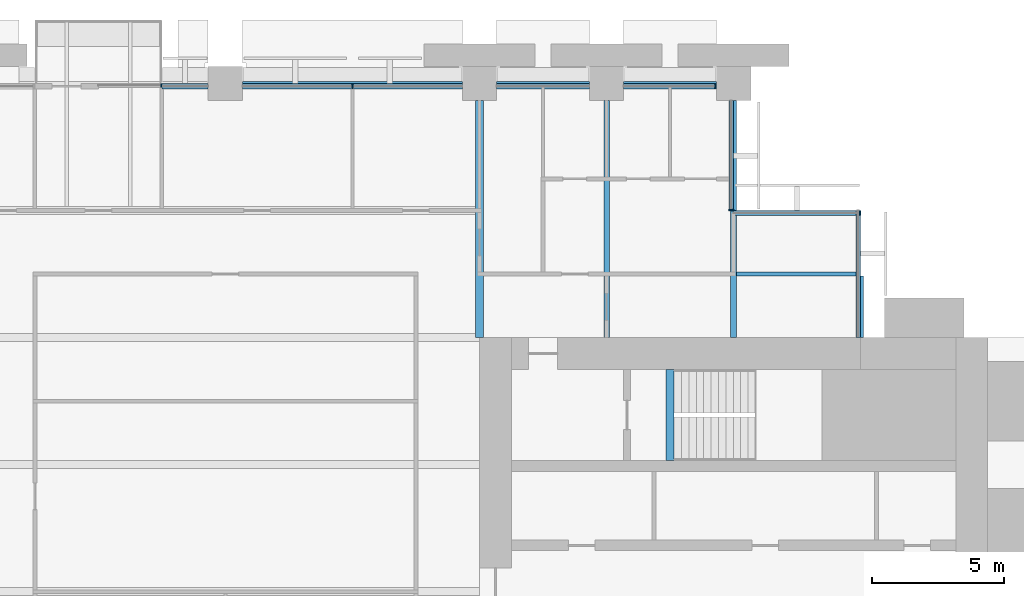
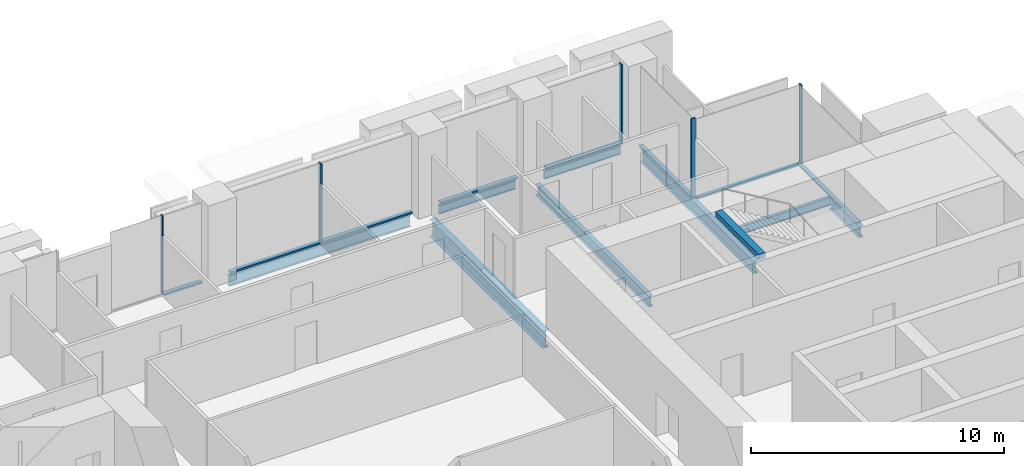
# One storey, part 7 of 15: 12 members, 9 beams, 5 elements without a shape of their own.
"""IFC4 building model written with IfcOpenShell, lengths in metres."""

from ifc_helpers import new_model, si_unit, direction, frame, origin, origin_2d, place, context, subcontext, project, spatial, rectangle, i_section, extrude, material, material_profile, profile_set, type_object, element, aggregate, save


model = new_model("IFC4")

# Units and contexts
model_context = context("Model", 3, precision=1e-05, world=origin(), true_north=direction((0.0, 1.0)))
body_context = subcontext(model_context, "Body", "Model", "MODEL_VIEW")
ifc_project = project(units=[si_unit("LENGTHUNIT", "METRE"), si_unit("AREAUNIT", "SQUARE_METRE"), si_unit("VOLUMEUNIT", "CUBIC_METRE"), si_unit("PLANEANGLEUNIT", "RADIAN"), si_unit("MASSUNIT", "GRAM", prefix="KILO")], contexts=[model_context])

# Site, building, storey
site_placement = place(None, origin())
site = spatial("IfcSite", under=ifc_project, at=site_placement, CompositionType="ELEMENT")
building_placement = place(site_placement, origin())
building = spatial("IfcBuilding", under=site, at=building_placement, Name="Baori Bourse Tower", CompositionType="ELEMENT")
storey_placement = place(building_placement, frame((0.0, 0.0, 71.0)))
storey = spatial("IfcBuildingStorey", under=building, at=storey_placement, Name="L15", CompositionType="ELEMENT", Elevation=71.0)

# Curtain wall, members
ifc_material_1 = material(Name="Pale anodised aluminium", Category="aluminium")
curtain_wall_type_1 = type_object("IfcCurtainWallType", Name="CW1 Curtain wall", PredefinedType="NOTDEFINED", material=ifc_material_1)
curtain_wall_1_placement = place(storey_placement, origin())
curtain_wall_1 = element("IfcCurtainWall", 1, at=curtain_wall_1_placement, inside=storey, type_object=curtain_wall_type_1, Name="Curtain wall CW1 L15 4", PredefinedType="NOTDEFINED")
ifc_material_2 = material(Name="Pale anodised aluminium", Category="aluminium")
ifc_material_profile_1 = material_profile(ifc_material_2, rectangle(XDim=0.199951171875, YDim=0.06005859375, at=origin_2d()), Name="Mullion 60x200")
ifc_profile_set_1 = profile_set([ifc_material_profile_1], Name="Pale anodised aluminium")
member_type_1 = type_object("IfcMemberType", Name="CW1 Curtain wall mullion", PredefinedType="MULLION", material=ifc_profile_set_1)
member_1_placement = place(storey_placement, frame((47.320068359375, 47.89990234375, 0.080078125), z_axis=(0.0, 0.0, 1.0), x_axis=(0.0, -1.0, 0.0)))
member_1 = element("IfcMember", 2, at=member_1_placement, type_object=member_type_1, Name="Curtain wall CW1 mullion", PredefinedType="MULLION", context=body_context, shape_type="SweptSolid", body=[
    extrude(rectangle(XDim=0.199951171875, YDim=0.06005859375, at=origin_2d()), origin(), (0.0, 0.0, 1.0), 3.760009765625),
])
member_2_placement = place(storey_placement, frame((33.60009765625, 47.89990234375, 0.080078125), z_axis=(0.0, 0.0, 1.0), x_axis=(0.0, -1.0, 0.0)))
member_2 = element("IfcMember", 3, at=member_2_placement, type_object=member_type_1, Name="Curtain wall CW1 mullion", PredefinedType="MULLION", context=body_context, shape_type="SweptSolid", body=[
    extrude(rectangle(XDim=0.199951171875, YDim=0.06005859375, at=origin_2d()), origin(), (0.0, 0.0, 1.0), 3.760009765625),
])
ifc_material_3 = material(Name="Pale anodised aluminium", Category="aluminium")
ifc_material_profile_2 = material_profile(ifc_material_3, rectangle(XDim=0.199951171875, YDim=0.080078125, at=origin_2d()), Name="Transom 80x200")
ifc_profile_set_2 = profile_set([ifc_material_profile_2], Name="Pale anodised aluminium")
member_type_2 = type_object("IfcMemberType", Name="CW1 Curtain wall transom", PredefinedType="USERDEFINED", material=ifc_profile_set_2)
member_3_placement = place(storey_placement, frame((47.35009765625, 47.89990234375, 0.0400390625), z_axis=(-1.0, 0.0, 0.0), x_axis=(0.0, -1.0, 0.0)))
member_3 = element("IfcMember", 4, at=member_3_placement, type_object=member_type_2, Name="Curtain wall CW1 sill rail", ObjectType="TRANSOM", PredefinedType="USERDEFINED", context=body_context, shape_type="SweptSolid", body=[
    extrude(rectangle(XDim=0.199951171875, YDim=0.080078125, at=origin_2d()), origin(), (0.0, 0.0, 1.0), 3.5),
])
member_4_placement = place(storey_placement, frame((42.550048828125, 47.89990234375, 0.0400390625), z_axis=(-1.0, 0.0, 0.0), x_axis=(0.0, -1.0, 0.0)))
member_4 = element("IfcMember", 5, at=member_4_placement, type_object=member_type_2, Name="Curtain wall CW1 sill rail", ObjectType="TRANSOM", PredefinedType="USERDEFINED", context=body_context, shape_type="SweptSolid", body=[
    extrude(rectangle(XDim=0.199951171875, YDim=0.080078125, at=origin_2d()), origin(), (0.0, 0.0, 1.0), 3.5),
])
member_5_placement = place(storey_placement, frame((37.75, 47.89990234375, 0.0400390625), z_axis=(-1.0, 0.0, 0.0), x_axis=(0.0, -1.0, 0.0)))
member_5 = element("IfcMember", 6, at=member_5_placement, type_object=member_type_2, Name="Curtain wall CW1 sill rail", ObjectType="TRANSOM", PredefinedType="USERDEFINED", context=body_context, shape_type="SweptSolid", body=[
    extrude(rectangle(XDim=0.199951171875, YDim=0.080078125, at=origin_2d()), origin(), (0.0, 0.0, 1.0), 8.300048828125),
])
member_6_placement = place(storey_placement, frame((28.14990234375, 47.89990234375, 0.0400390625), z_axis=(-1.0, 0.0, 0.0), x_axis=(0.0, -1.0, 0.0)))
member_6 = element("IfcMember", 7, at=member_6_placement, type_object=member_type_2, Name="Curtain wall CW1 sill rail", ObjectType="TRANSOM", PredefinedType="USERDEFINED", context=body_context, shape_type="SweptSolid", body=[
    extrude(rectangle(XDim=0.199951171875, YDim=0.080078125, at=origin_2d()), origin(), (0.0, 0.0, 1.0), 1.75),
])
aggregate(curtain_wall_1, [member_3, member_1, member_4, member_5, member_2, member_6])

# Curtain wall, member
ifc_material_4 = material(Name="Pale anodised aluminium", Category="aluminium")
curtain_wall_type_2 = type_object("IfcCurtainWallType", Name="CW2 Curtain wall", PredefinedType="NOTDEFINED", material=ifc_material_4)
curtain_wall_2_placement = place(storey_placement, origin())
curtain_wall_2 = element("IfcCurtainWall", 8, at=curtain_wall_2_placement, inside=storey, type_object=curtain_wall_type_2, Name="Curtain wall CW2 L15 2", PredefinedType="NOTDEFINED")
ifc_material_5 = material(Name="Pale anodised aluminium", Category="aluminium")
ifc_material_profile_3 = material_profile(ifc_material_5, rectangle(XDim=0.179931640625, YDim=0.054931640625, at=origin_2d()), Name="Mullion 55x180")
ifc_profile_set_3 = profile_set([ifc_material_profile_3], Name="Pale anodised aluminium")
member_type_3 = type_object("IfcMemberType", Name="CW2 Curtain wall mullion", PredefinedType="MULLION", material=ifc_profile_set_3)
member_7_placement = place(storey_placement, frame((52.7724609375, 43.110107421875, 0.070068359375), z_axis=(0.0, 0.0, 1.0), x_axis=(0.0, -1.0, 0.0)))
member_7 = element("IfcMember", 9, at=member_7_placement, type_object=member_type_3, Name="Curtain wall CW2 mullion", PredefinedType="MULLION", context=body_context, shape_type="SweptSolid", body=[
    extrude(rectangle(XDim=0.179931640625, YDim=0.054931640625, at=origin_2d()), origin(), (0.0, 0.0, 1.0), 3.77001953125),
])

curtain_wall_3_placement = place(storey_placement, origin())
curtain_wall_3 = element("IfcCurtainWall", 10, at=curtain_wall_3_placement, inside=storey, type_object=curtain_wall_type_2, Name="Curtain wall CW2 L15 3", PredefinedType="NOTDEFINED")
member_8_placement = place(storey_placement, frame((47.909912109375, 43.2275390625, 0.070068359375), z_axis=(0.0, 0.0, 1.0), x_axis=(-1.0, 0.0, 0.0)))
member_8 = element("IfcMember", 11, at=member_8_placement, type_object=member_type_3, Name="Curtain wall CW2 mullion", PredefinedType="MULLION", context=body_context, shape_type="SweptSolid", body=[
    extrude(rectangle(XDim=0.179931640625, YDim=0.054931640625, at=origin_2d()), origin(), (0.0, 0.0, 1.0), 3.77001953125),
])

curtain_wall_4_placement = place(storey_placement, origin())
curtain_wall_4 = element("IfcCurtainWall", 12, at=curtain_wall_4_placement, inside=storey, type_object=curtain_wall_type_2, Name="Curtain wall CW2 L15 1", PredefinedType="NOTDEFINED")
ifc_material_6 = material(Name="Pale anodised aluminium", Category="aluminium")
ifc_material_profile_4 = material_profile(ifc_material_6, rectangle(XDim=0.179931640625, YDim=0.070068359375, at=origin_2d()), Name="Transom 70x180")
ifc_profile_set_4 = profile_set([ifc_material_profile_4], Name="Pale anodised aluminium")
member_type_4 = type_object("IfcMemberType", Name="CW2 Curtain wall transom", PredefinedType="USERDEFINED", material=ifc_profile_set_4)
member_9_placement = place(storey_placement, frame((52.7099609375, 38.39990234375, 0.034912109375), z_axis=(0.0, 1.0, 0.0), x_axis=(-1.0, 0.0, 0.0)))
member_9 = element("IfcMember", 13, at=member_9_placement, type_object=member_type_4, Name="Curtain wall CW2 sill rail", ObjectType="TRANSOM", PredefinedType="USERDEFINED", context=body_context, shape_type="SweptSolid", body=[
    extrude(rectangle(XDim=0.179931640625, YDim=0.070068359375, at=origin_2d()), origin(), (0.0, 0.0, 1.0), 4.800048828125),
])
aggregate(curtain_wall_4, [member_9])

# Member
member_10_placement = place(storey_placement, frame((52.800048828125, 43.110107421875, 0.034912109375), z_axis=(-1.0, 0.0, 0.0), x_axis=(0.0, -1.0, 0.0)))
member_10 = element("IfcMember", 14, at=member_10_placement, type_object=member_type_4, Name="Curtain wall CW2 sill rail", ObjectType="TRANSOM", PredefinedType="USERDEFINED", context=body_context, shape_type="SweptSolid", body=[
    extrude(rectangle(XDim=0.179931640625, YDim=0.070068359375, at=origin_2d()), origin(), (0.0, 0.0, 1.0), 4.800048828125),
])

aggregate(curtain_wall_2, [member_10, member_7])

member_11_placement = place(storey_placement, frame((47.909912109375, 43.199951171875, 0.034912109375), z_axis=(0.0, 1.0, 0.0), x_axis=(-1.0, 0.0, 0.0)))
member_11 = element("IfcMember", 15, at=member_11_placement, type_object=member_type_4, Name="Curtain wall CW2 sill rail", ObjectType="TRANSOM", PredefinedType="USERDEFINED", context=body_context, shape_type="SweptSolid", body=[
    extrude(rectangle(XDim=0.179931640625, YDim=0.070068359375, at=origin_2d()), origin(), (0.0, 0.0, 1.0), 4.150146484375),
])

aggregate(curtain_wall_3, [member_11, member_8])

# Curtain wall, member
ifc_material_7 = material(Name="Pale anodised aluminium", Category="aluminium")
curtain_wall_type_3 = type_object("IfcCurtainWallType", Name="CW6 Curtain wall", PredefinedType="NOTDEFINED", material=ifc_material_7)
curtain_wall_5_placement = place(storey_placement, origin())
curtain_wall_5 = element("IfcCurtainWall", 16, at=curtain_wall_5_placement, inside=storey, type_object=curtain_wall_type_3, Name="Curtain wall CW6 L15 5", PredefinedType="NOTDEFINED")
ifc_material_8 = material(Name="Pale anodised aluminium", Category="aluminium")
ifc_material_profile_5 = material_profile(ifc_material_8, rectangle(XDim=0.14990234375, YDim=0.050048828125, at=origin_2d()), Name="Mullion 50x150")
ifc_profile_set_5 = profile_set([ifc_material_profile_5], Name="Pale anodised aluminium")
member_type_5 = type_object("IfcMemberType", Name="CW6 Curtain wall mullion", PredefinedType="MULLION", material=ifc_profile_set_5)
member_12_placement = place(storey_placement, frame((26.375, 47.925048828125, 0.06494140625), z_axis=(0.0, 0.0, 1.0), x_axis=(0.0, -1.0, 0.0)))
member_12 = element("IfcMember", 17, at=member_12_placement, type_object=member_type_5, Name="Curtain wall CW6 mullion", PredefinedType="MULLION", context=body_context, shape_type="SweptSolid", body=[
    extrude(rectangle(XDim=0.14990234375, YDim=0.050048828125, at=origin_2d()), origin(), (0.0, 0.0, 1.0), 3.775146484375),
])
aggregate(curtain_wall_5, [member_12])

# Beams
ifc_material_9 = material(Name="Steel A992 Gr 50", Category="steel")
ifc_material_profile_6 = material_profile(ifc_material_9, i_section(OverallWidth=0.21240234375, OverallDepth=0.54345703125, WebThickness=0.01318359375, FlangeThickness=0.021240234375, at=origin_2d()), Name="W21x83")
ifc_profile_set_6 = profile_set([ifc_material_profile_6], Name="Steel A992 Gr 50")
beam_type_1 = type_object("IfcBeamType", Name="Core bracket W21x83", PredefinedType="BEAM", material=ifc_profile_set_6)
beam_1_placement = place(storey_placement, frame((52.800048828125, 38.39990234375, -0.431884765625), z_axis=(0.0, 1.0, 0.0), x_axis=(-1.0, 0.0, 0.0)))
element("IfcBeam", 18, at=beam_1_placement, inside=storey, type_object=beam_type_1, Name="Core bracket L15", PredefinedType="BEAM", context=body_context, shape_type="SweptSolid", body=[
    extrude(i_section(OverallWidth=0.21240234375, OverallDepth=0.54345703125, WebThickness=0.01318359375, FlangeThickness=0.021240234375, at=origin_2d()), origin(), (0.0, 0.0, 1.0), 2.329833984375),
])
ifc_material_10 = material(Name="Steel A992 Gr 50", Category="steel")
ifc_material_profile_7 = material_profile(ifc_material_10, i_section(OverallWidth=0.140380859375, OverallDepth=0.40380859375, WebThickness=0.007080078125, FlangeThickness=0.01123046875, at=origin_2d()), Name="W16x31")
ifc_profile_set_7 = profile_set([ifc_material_profile_7], Name="Steel A992 Gr 50")
beam_type_2 = type_object("IfcBeamType", Name="Edge beam W16x31", PredefinedType="BEAM", material=ifc_profile_set_7)
for number, where, z_axis, x_axis, name in (
    (19, (39.050048828125, 48.0, -0.36181640625), (1.0, 0.0, 0.0), (0.0, 1.0, 0.0), "Edge beam L15"),
    (20, (43.85009765625, 48.0, -0.36181640625), (1.0, 0.0, 0.0), (0.0, 1.0, 0.0), "Edge beam L15"),
):
    element("IfcBeam", number, at=place(storey_placement, frame(where, z_axis=z_axis, x_axis=x_axis)), inside=storey, type_object=beam_type_2, Name=name, PredefinedType="BEAM", context=body_context, shape_type="SweptSolid", body=[
        extrude(i_section(OverallWidth=0.140380859375, OverallDepth=0.40380859375, WebThickness=0.007080078125, FlangeThickness=0.01123046875, at=origin_2d()), origin(), (0.0, 0.0, 1.0), 3.5),
    ])
ifc_material_11 = material(Name="Steel A992 Gr 50", Category="steel")
ifc_material_profile_8 = material_profile(ifc_material_11, i_section(OverallWidth=0.1650390625, OverallDepth=0.52587890625, WebThickness=0.0087890625, FlangeThickness=0.011474609375, at=origin_2d()), Name="W21x44")
ifc_profile_set_8 = profile_set([ifc_material_profile_8], Name="Steel A992 Gr 50")
beam_type_3 = type_object("IfcBeamType", Name="Edge beam W21x44", PredefinedType="BEAM", material=ifc_profile_set_8)
beam_2_placement = place(storey_placement, frame((29.449951171875, 48.0, -0.4228515625), z_axis=(1.0, 0.0, 0.0), x_axis=(0.0, 1.0, 0.0)))
element("IfcBeam", 21, at=beam_2_placement, inside=storey, type_object=beam_type_3, Name="Edge beam L15", PredefinedType="BEAM", context=body_context, shape_type="SweptSolid", body=[
    extrude(i_section(OverallWidth=0.1650390625, OverallDepth=0.52587890625, WebThickness=0.0087890625, FlangeThickness=0.011474609375, at=origin_2d()), origin(), (0.0, 0.0, 1.0), 8.300048828125),
])
ifc_material_12 = material(Name="Steel A992 Gr 50", Category="steel")
ifc_material_profile_9 = material_profile(ifc_material_12, i_section(OverallWidth=0.209228515625, OverallDepth=0.533447265625, WebThickness=0.01025390625, FlangeThickness=0.015625, at=origin_2d()), Name="W21x62")
ifc_profile_set_9 = profile_set([ifc_material_profile_9], Name="Steel A992 Gr 50")
beam_type_4 = type_object("IfcBeamType", Name="Floor beam W21x62", PredefinedType="BEAM", material=ifc_profile_set_9)
beam_3_placement = place(storey_placement, frame((43.199951171875, 38.39990234375, -0.4267578125), z_axis=(0.0, 1.0, 0.0), x_axis=(-1.0, 0.0, 0.0)))
element("IfcBeam", 22, at=beam_3_placement, inside=storey, type_object=beam_type_4, Name="Floor beam L15", PredefinedType="BEAM", context=body_context, shape_type="SweptSolid", body=[
    extrude(i_section(OverallWidth=0.209228515625, OverallDepth=0.533447265625, WebThickness=0.01025390625, FlangeThickness=0.015625, at=origin_2d()), origin(), (0.0, 0.0, 1.0), 8.9501953125),
])
ifc_material_13 = material(Name="Steel A992 Gr 50", Category="steel")
ifc_material_profile_10 = material_profile(ifc_material_13, i_section(OverallWidth=0.227783203125, OverallDepth=0.60205078125, WebThickness=0.010498046875, FlangeThickness=0.014892578125, at=origin_2d()), Name="W24x68")
ifc_profile_set_10 = profile_set([ifc_material_profile_10], Name="Steel A992 Gr 50")
beam_type_5 = type_object("IfcBeamType", Name="Floor beam W24x68", PredefinedType="BEAM", material=ifc_profile_set_10)
beam_4_placement = place(storey_placement, frame((48.0, 38.39990234375, -0.4609375), z_axis=(0.0, 1.0, 0.0), x_axis=(-1.0, 0.0, 0.0)))
element("IfcBeam", 23, at=beam_4_placement, inside=storey, type_object=beam_type_5, Name="Floor beam L15", PredefinedType="BEAM", context=body_context, shape_type="SweptSolid", body=[
    extrude(i_section(OverallWidth=0.227783203125, OverallDepth=0.60205078125, WebThickness=0.010498046875, FlangeThickness=0.014892578125, at=origin_2d()), origin(), (0.0, 0.0, 1.0), 8.9501953125),
])
ifc_material_14 = material(Name="Steel A992 Gr 50", Category="steel")
ifc_material_profile_11 = material_profile(ifc_material_14, i_section(OverallWidth=0.2919921875, OverallDepth=0.835693359375, WebThickness=0.013916015625, FlangeThickness=0.018798828125, at=origin_2d()), Name="W33x118")
ifc_profile_set_11 = profile_set([ifc_material_profile_11], Name="Steel A992 Gr 50")
beam_type_6 = type_object("IfcBeamType", Name="Girder W33x118", PredefinedType="BEAM", material=ifc_profile_set_11)
beam_5_placement = place(storey_placement, frame((38.39990234375, 38.39990234375, -0.577880859375), z_axis=(0.0, 1.0, 0.0), x_axis=(-1.0, 0.0, 0.0)))
element("IfcBeam", 24, at=beam_5_placement, inside=storey, type_object=beam_type_6, Name="Girder L15", PredefinedType="BEAM", context=body_context, shape_type="SweptSolid", body=[
    extrude(i_section(OverallWidth=0.2919921875, OverallDepth=0.835693359375, WebThickness=0.013916015625, FlangeThickness=0.018798828125, at=origin_2d()), origin(), (0.0, 0.0, 1.0), 8.9501953125),
])
ifc_material_15 = material(Name="Concrete f'c 50 MPa", Category="concrete")
ifc_material_profile_12 = material_profile(ifc_material_15, rectangle(XDim=0.300048828125, YDim=0.25, at=origin_2d()), Name="RC 300x250")
ifc_profile_set_12 = profile_set([ifc_material_profile_12], Name="Concrete f'c 50 MPa")
beam_type_7 = type_object("IfcBeamType", Name="Stair nib beam RC 300x250", PredefinedType="BEAM", material=ifc_profile_set_12)
beam_6_placement = place(storey_placement, frame((45.60009765625, 33.75, 3.715087890625), z_axis=(0.0, 1.0, 0.0), x_axis=(-1.0, 0.0, 0.0)))
element("IfcBeam", 25, at=beam_6_placement, inside=storey, type_object=beam_type_7, Name="Stair EB nib beam L16", PredefinedType="BEAM", context=body_context, shape_type="SweptSolid", body=[
    extrude(rectangle(XDim=0.300048828125, YDim=0.25, at=origin_2d()), origin(), (0.0, 0.0, 1.0), 3.449951171875),
])
ifc_material_16 = material(Name="Steel A992 Gr 50", Category="steel")
ifc_material_profile_13 = material_profile(ifc_material_16, i_section(OverallWidth=0.140380859375, OverallDepth=0.40380859375, WebThickness=0.007080078125, FlangeThickness=0.01123046875, at=origin_2d()), Name="W16x31")
ifc_profile_set_13 = profile_set([ifc_material_profile_13], Name="Steel A992 Gr 50")
beam_type_8 = type_object("IfcBeamType", Name="Trimmer beam W16x31", PredefinedType="BEAM", material=ifc_profile_set_13)
beam_7_placement = place(storey_placement, frame((48.114013671875, 40.800048828125, -0.36181640625), z_axis=(1.0, 0.0, 0.0), x_axis=(0.0, 1.0, 0.0)))
element("IfcBeam", 26, at=beam_7_placement, inside=storey, type_object=beam_type_8, Name="Trimmer beam L15", PredefinedType="BEAM", context=body_context, shape_type="SweptSolid", body=[
    extrude(i_section(OverallWidth=0.140380859375, OverallDepth=0.40380859375, WebThickness=0.007080078125, FlangeThickness=0.01123046875, at=origin_2d()), origin(), (0.0, 0.0, 1.0), 4.68603515625),
])

save(model, "model.ifc")
